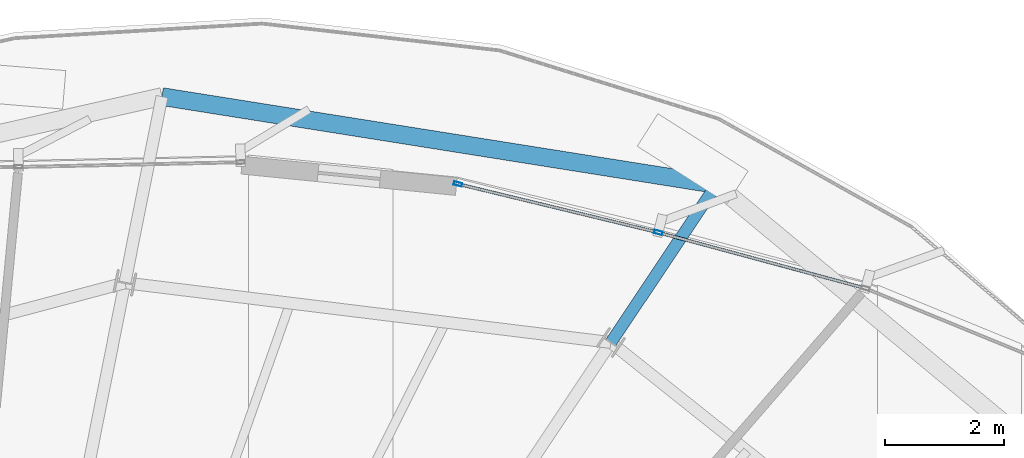
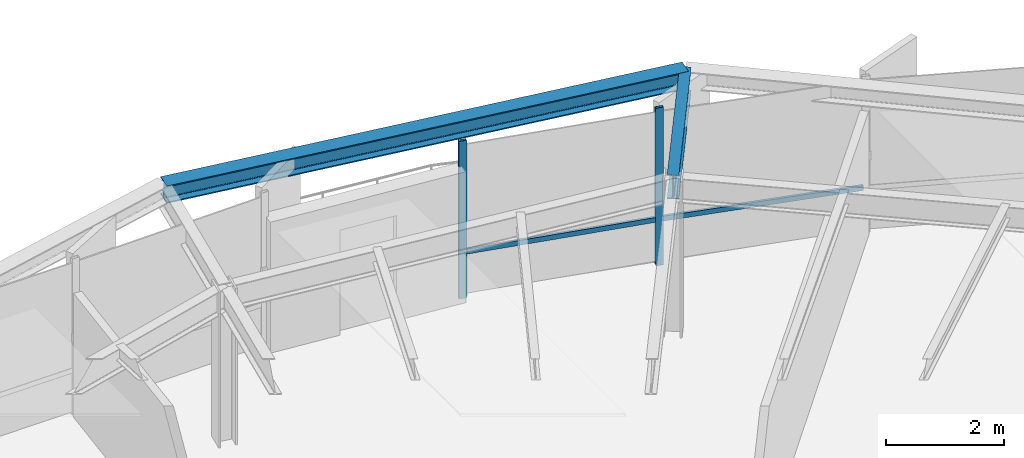
# One storey, part 29 of 37: 4 members, 2 beams, 1 element without a shape of its own.
"""IFC4 building model written with IfcOpenShell, lengths in metres."""

from ifc_helpers import new_model, si_unit, direction, frame, origin, origin_2d, place, context, subcontext, project, spatial, hollow_rectangle, i_section, extrude, source, transform, mapped, material, layer, layer_set, material_profile, profile_set, type_object, element, aggregate, save


model = new_model("IFC4")

# Units and contexts
model_context = context("Model", 3, precision=1e-05, world=origin(), true_north=direction((0.0, 1.0)))
body_context = subcontext(model_context, "Body", "Model", "MODEL_VIEW")
ifc_project = project(units=[si_unit("LENGTHUNIT", "METRE"), si_unit("AREAUNIT", "SQUARE_METRE"), si_unit("VOLUMEUNIT", "CUBIC_METRE"), si_unit("PLANEANGLEUNIT", "RADIAN"), si_unit("MASSUNIT", "GRAM", prefix="KILO"), si_unit("THERMODYNAMICTEMPERATUREUNIT", "KELVIN")], contexts=[model_context])

# Site, building, storey
site_placement = place(None, origin())
site = spatial("IfcSite", under=ifc_project, at=site_placement, CompositionType="ELEMENT")
building_placement = place(site_placement, origin())
building = spatial("IfcBuilding", under=site, at=building_placement, Name="Kethvar Cultural Tower", CompositionType="ELEMENT")
storey_placement = place(building_placement, frame((0.0, 0.0, 200.89990234375)))
storey = spatial("IfcBuildingStorey", under=building, at=storey_placement, Name="L52", CompositionType="ELEMENT", Elevation=200.89990234375)

# Beams
ifc_material_1 = material(Name="Steel S355J2", Category="steel")
ifc_material_profile_1 = material_profile(ifc_material_1, i_section(OverallWidth=0.199951171875, OverallDepth=0.5, WebThickness=0.01025390625, FlangeThickness=0.01611328125, FilletRadius=0.02099609375, at=origin_2d()), Name="Steel S355J2 — IPE500")
ifc_profile_set_1 = profile_set([ifc_material_profile_1], Name="Steel S355J2 — IPE500")
beam_type_1 = type_object("IfcBeamType", Name="BM-IPE500", PredefinedType="BEAM", material=ifc_profile_set_1)
shared_shape_1 = source(origin(), body_context, "Body", "SweptSolid", [
    extrude(i_section(OverallWidth=0.199951171875, OverallDepth=0.5, WebThickness=0.01025390625, FlangeThickness=0.01611328125, FilletRadius=0.02099609375, at=origin_2d()), origin(), (0.0, 0.0, 1.0), 3.2001953125),
])
beam_1_placement = place(storey_placement, frame((58.748046875, 45.681396484375, 3.008056640625), z_axis=(0.555544970406, 0.831486491686, 0.0), x_axis=(-0.831486491686, 0.555544970406, 0.0)))
element("IfcBeam", 1, at=beam_1_placement, inside=storey, type_object=beam_type_1, Name="L52 Perimeter Cantilever Beam RC-03", PredefinedType="BEAM", context=body_context, shape_type="MappedRepresentation", body=[
    mapped(shared_shape_1, transform((0.0, 0.0, 0.0), scale=1.0)),
])
ifc_material_profile_2 = material_profile(ifc_material_1, i_section(OverallWidth=0.300048828125, OverallDepth=0.360107421875, WebThickness=0.012451171875, FlangeThickness=0.0224609375, FilletRadius=0.027099609375, at=origin_2d()), Name="Steel S355J2 — HEB360")
ifc_profile_set_2 = profile_set([ifc_material_profile_2], Name="Steel S355J2 — HEB360")
beam_type_2 = type_object("IfcBeamType", Name="BM-SP360", PredefinedType="SPANDREL", material=ifc_profile_set_2)
shared_shape_2 = source(origin(), body_context, "Body", "SweptSolid", [
    extrude(i_section(OverallWidth=0.300048828125, OverallDepth=0.360107421875, WebThickness=0.012451171875, FlangeThickness=0.0224609375, FilletRadius=0.027099609375, at=origin_2d()), origin(), (0.0, 0.0, 1.0), 9.461669921875),
])
beam_2_placement = place(storey_placement, frame((60.52587890625, 48.34228515625, 3.078125), z_axis=(-0.987629757191, 0.156803898904, 0.0), x_axis=(-0.156803898904, -0.987629757191, 0.0)))
element("IfcBeam", 2, at=beam_2_placement, inside=storey, type_object=beam_type_2, Name="L52 Perimeter Spandrel Beam SP-03", PredefinedType="SPANDREL", context=body_context, shape_type="MappedRepresentation", body=[
    mapped(shared_shape_2, transform((0.0, 0.0, 0.0), scale=1.0)),
])

# Curtain wall, members
ifc_material_2 = material(Name="Aluminium 6063-T6", Category="aluminium")
ifc_layer = layer(ifc_material_2, 0.179931640625, Name="Aluminium 6063-T6", Category="aluminium")
ifc_layer_set = layer_set([ifc_layer], Name="Aluminium 6063-T6 (180 mm)")
curtain_wall_type = type_object("IfcCurtainWallType", Name="CW-SYS-04-Z34", PredefinedType="NOTDEFINED", material=ifc_layer_set)
curtain_wall_placement = place(storey_placement, origin())
curtain_wall = element("IfcCurtainWall", 3, at=curtain_wall_placement, inside=storey, type_object=curtain_wall_type, Name="L52 Curtain Wall Run 01", PredefinedType="NOTDEFINED")
ifc_material_profile_3 = material_profile(ifc_material_2, hollow_rectangle(XDim=0.06005859375, YDim=0.139892578125, WallThickness=0.0048828125, at=origin_2d()), Name="Aluminium 6063-T6 — RHS140x60x5")
ifc_profile_set_3 = profile_set([ifc_material_profile_3], Name="Aluminium 6063-T6 — RHS140x60x5")
member_type_1 = type_object("IfcMemberType", Name="CW-SYS-04-Z34-MUL", PredefinedType="MULLION", material=ifc_profile_set_3)
shared_shape_3 = source(origin(), body_context, "Body", "SweptSolid", [
    extrude(hollow_rectangle(XDim=0.06005859375, YDim=0.139892578125, WallThickness=0.0048828125, at=origin_2d()), origin(), (0.0, 0.0, 1.0), 3.260009765625),
])
member_1_placement = place(storey_placement, frame((59.547607421875, 47.535400390625, 0.0), z_axis=(0.0, 0.0, 1.0), x_axis=(-0.235260858785, -0.971932265296, 0.0)))
member_1 = element("IfcMember", 4, at=member_1_placement, type_object=member_type_1, Name="CW-L52-R01 Mullion 3", PredefinedType="MULLION", context=body_context, shape_type="MappedRepresentation", body=[
    mapped(shared_shape_3, transform((0.0, 0.0, 0.0), scale=1.0)),
])
member_2_placement = place(storey_placement, frame((56.169921875, 48.35302734375, 0.0), z_axis=(0.0, 0.0, 1.0), x_axis=(-0.235260858785, -0.971932265296, 0.0)))
member_2 = element("IfcMember", 5, at=member_2_placement, type_object=member_type_1, Name="CW-L52-R01 Mullion 4", PredefinedType="MULLION", context=body_context, shape_type="MappedRepresentation", body=[
    mapped(shared_shape_3, transform((0.0, 0.0, 0.0), scale=1.0)),
])
ifc_material_profile_4 = material_profile(ifc_material_2, hollow_rectangle(XDim=0.050048828125, YDim=0.10009765625, WallThickness=0.00390625, at=origin_2d()), Name="Aluminium 6063-T6 — RHS100x50x4")
ifc_profile_set_4 = profile_set([ifc_material_profile_4], Name="Aluminium 6063-T6 — RHS100x50x4")
member_type_2 = type_object("IfcMemberType", Name="CW-SYS-04-Z34-TRN", PredefinedType="USERDEFINED", material=ifc_profile_set_4)
shared_shape_4 = source(origin(), body_context, "Body", "SweptSolid", [
    extrude(hollow_rectangle(XDim=0.050048828125, YDim=0.10009765625, WallThickness=0.00390625, at=origin_2d()), origin(), (0.0, 0.0, 1.0), 3.533203125),
])
member_3_placement = place(storey_placement, frame((62.998046875, 46.60546875, 0.9501953125), z_axis=(-0.965545669535, 0.260233664315, 0.0), x_axis=(-0.260233664315, -0.965545669535, 0.0)))
member_3 = element("IfcMember", 6, at=member_3_placement, type_object=member_type_2, Name="CW-L52-R01 Transom 2", ObjectType="TRANSOM", PredefinedType="USERDEFINED", context=body_context, shape_type="MappedRepresentation", body=[
    mapped(shared_shape_4, transform((0.0, 0.0, 0.0), scale=1.0)),
])
shared_shape_5 = source(origin(), body_context, "Body", "SweptSolid", [
    extrude(hollow_rectangle(XDim=0.050048828125, YDim=0.10009765625, WallThickness=0.00390625, at=origin_2d()), origin(), (0.0, 0.0, 1.0), 3.427734375),
])
member_4_placement = place(storey_placement, frame((59.505615234375, 47.545654296875, 0.9501953125), z_axis=(-0.97193356234, 0.23525550025, 0.0), x_axis=(-0.23525550025, -0.97193356234, 0.0)))
member_4 = element("IfcMember", 7, at=member_4_placement, type_object=member_type_2, Name="CW-L52-R01 Transom 3", ObjectType="TRANSOM", PredefinedType="USERDEFINED", context=body_context, shape_type="MappedRepresentation", body=[
    mapped(shared_shape_5, transform((0.0, 0.0, 0.0), scale=1.0)),
])
aggregate(curtain_wall, [member_1, member_2, member_3, member_4])

save(model, "model.ifc")
